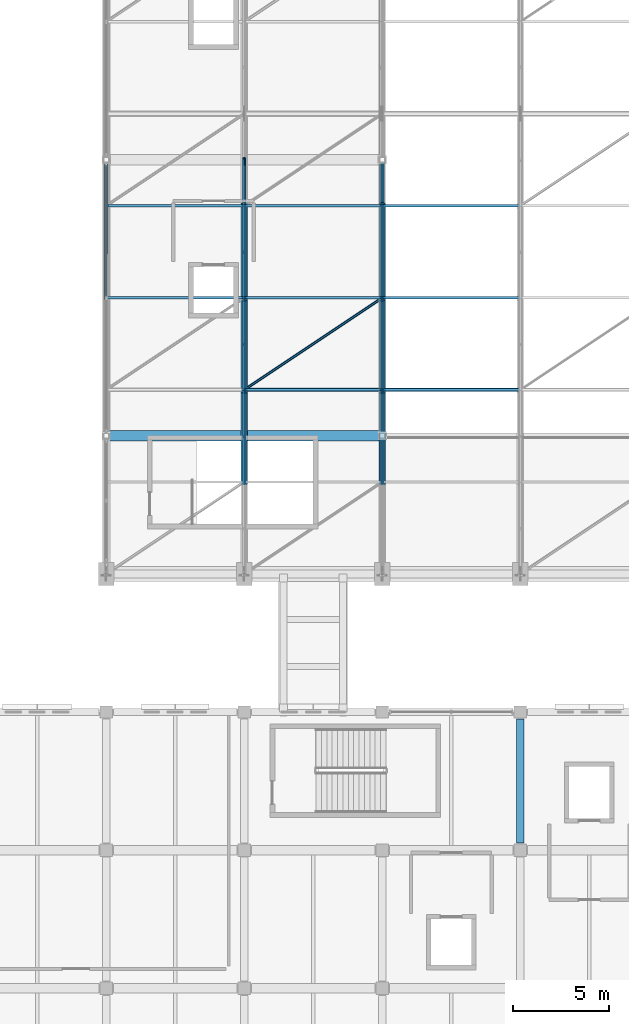
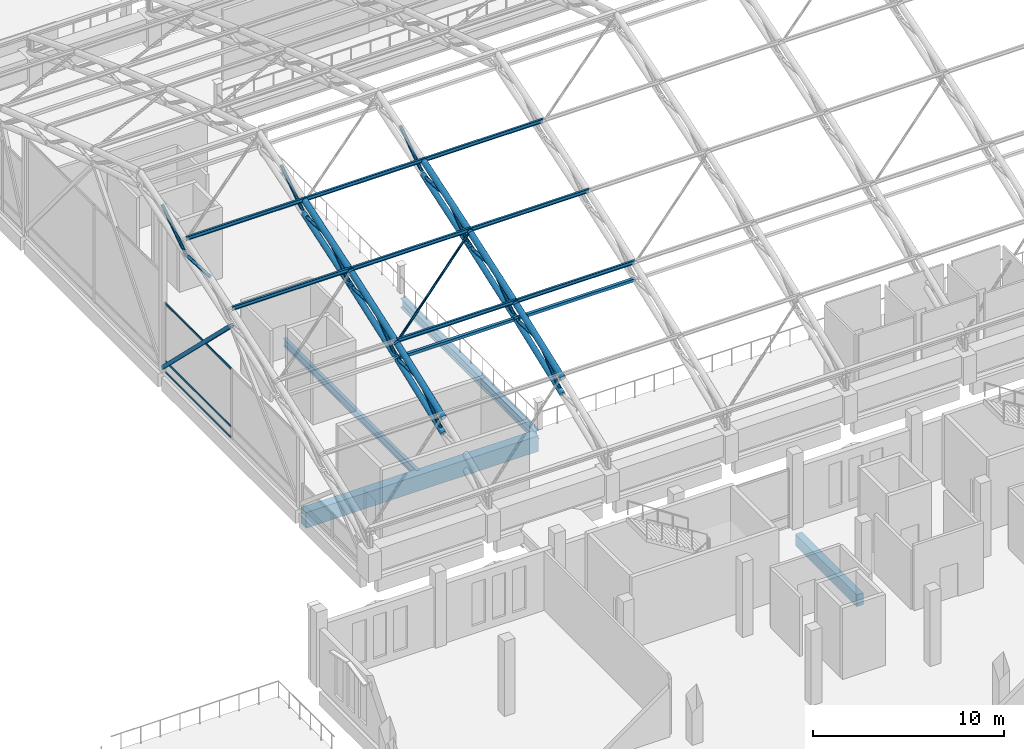
# One storey, part 30 of 116: 43 members, 4 beams, 1 element without a shape of its own.
"""IFC4 building model written with IfcOpenShell, lengths in metres."""

import ifcopenshell
import ifcopenshell.guid

model = None  # the IFC model being written
_history = None  # IfcOwnerHistory: only IFC2X3 demands one
_inside = {}  # id of a spatial element -> (the spatial element, [elements in it])
_under = {}  # id of a project, library or spatial element -> (it, [spatial elements below it])
_declared = {}  # id of a project -> (the project, [libraries it declares])
_typed = {}  # id of a type object -> (the type object, [elements of that type])
_made_of = {}  # id of a material, layer set ... -> (it, [elements and type objects made of it])


def new_model(schema):
    """Start an empty IFC model of exactly this schema.

    Asked for "IFC4X3", IfcOpenShell would pick the latest addendum, in which some entities
    have other attributes; the version numbers below select the first issue.
    IFC2X3 requires an IfcOwnerHistory on every rooted entity: one is made here for all.
    """
    global model, _history
    if schema == "IFC4X3":
        model = ifcopenshell.file(schema_version=(4, 3, 0, 0))
    else:
        model = ifcopenshell.file(schema=schema)
    _inside.clear()
    _under.clear()
    _declared.clear()
    _typed.clear()
    _made_of.clear()
    _history = None
    if model.schema == "IFC2X3":
        org = make("IfcOrganization", Name="unknown")
        user = make(
            "IfcPersonAndOrganization",
            ThePerson=make("IfcPerson", FamilyName="unknown"),
            TheOrganization=org,
        )
        app = make(
            "IfcApplication",
            ApplicationDeveloper=org,
            Version="unknown",
            ApplicationFullName="unknown",
            ApplicationIdentifier="unknown",
        )
        _history = make(
            "IfcOwnerHistory",
            OwningUser=user,
            OwningApplication=app,
            ChangeAction="ADDED",
            CreationDate=0,
        )
    return model


def make(cls, **values):
    """One entity of the class cls with the attributes given. An attribute that is None is left unset."""
    return model.create_entity(
        cls, **{name: value for name, value in values.items() if value is not None}
    )


def rooted(cls, **values):
    """An entity with a GlobalId (a new one), such as an element, a storey or a relation."""
    return make(cls, GlobalId=ifcopenshell.guid.new(), OwnerHistory=_history, **values)


def si_unit(unit_type, name, prefix=None):
    """IfcSIUnit, for example si_unit("LENGTHUNIT", "METRE", prefix="MILLI")."""
    return make("IfcSIUnit", UnitType=unit_type, Prefix=prefix, Name=name)


def assignment(units):
    """IfcUnitAssignment: the units of a project."""
    return None if units is None else make("IfcUnitAssignment", Units=units)


def point(xyz):
    """IfcCartesianPoint."""
    return None if xyz is None else make("IfcCartesianPoint", Coordinates=xyz)


def direction(xyz):
    """IfcDirection."""
    return None if xyz is None else make("IfcDirection", DirectionRatios=xyz)


def frame(location, z_axis=None, x_axis=None):
    """IfcAxis2Placement3D, a coordinate frame: its origin and axes. An axis left out is left unset."""
    return make(
        "IfcAxis2Placement3D",
        Location=point(location),
        Axis=direction(z_axis),
        RefDirection=direction(x_axis),
    )


def frame_2d(location, x_axis=None):
    """IfcAxis2Placement2D, a coordinate frame in the plane: its origin and x axis."""
    return make(
        "IfcAxis2Placement2D", Location=point(location), RefDirection=direction(x_axis)
    )


def origin():
    """The frame at (0, 0, 0) with its axes left unset."""
    return frame((0.0, 0.0, 0.0))


def origin_2d():
    """The frame at (0, 0) in the plane with its x axis left unset."""
    return frame_2d((0.0, 0.0))


def place(relative_to, where):
    """IfcLocalPlacement: puts the frame where relative to a parent placement (None: the world)."""
    return make(
        "IfcLocalPlacement", PlacementRelTo=relative_to, RelativePlacement=where
    )


def context(
    kind, dimensions, precision=None, world=None, true_north=None, identifier=None
):
    """IfcGeometricRepresentationContext, for example the 3D "Model" context."""
    return make(
        "IfcGeometricRepresentationContext",
        ContextIdentifier=identifier,
        ContextType=kind,
        CoordinateSpaceDimension=dimensions,
        Precision=precision,
        WorldCoordinateSystem=world,
        TrueNorth=true_north,
    )


def subcontext(parent, identifier, kind, view, scale=None):
    """IfcGeometricRepresentationSubContext, for example "Body" below "Model"."""
    return make(
        "IfcGeometricRepresentationSubContext",
        ContextIdentifier=identifier,
        ContextType=kind,
        ParentContext=parent,
        TargetScale=scale,
        TargetView=view,
    )


def project(units=None, contexts=None):
    """IfcProject with its units and contexts."""
    return rooted(
        "IfcProject",
        Name="project",
        RepresentationContexts=contexts,
        UnitsInContext=assignment(units),
    )


def spatial(cls, under=None, at=None, **own):
    """A site, building, storey or space (cls), placed at a placement, below another one or the project."""
    s = rooted(cls, ObjectPlacement=at, **own)
    if under is not None:
        _under.setdefault(under.id(), (under, []))[1].append(s)
    return s


def profile(cls, at=None, kind="AREA", **sizes):
    """A parametric profile (cls). Its sizes go by their IFC names, for example OverallWidth=200.0."""
    return make(cls, ProfileType=kind, Position=at, **sizes)


def rectangle(**sizes):
    """IfcRectangleProfileDef."""
    return profile("IfcRectangleProfileDef", **sizes)


def hollow_rectangle(**sizes):
    """IfcRectangleHollowProfileDef."""
    return profile("IfcRectangleHollowProfileDef", **sizes)


def hollow_circle(**sizes):
    """IfcCircleHollowProfileDef."""
    return profile("IfcCircleHollowProfileDef", **sizes)


def i_section(**sizes):
    """IfcIShapeProfileDef."""
    return profile("IfcIShapeProfileDef", **sizes)


def extrude(swept, where, along, depth):
    """IfcExtrudedAreaSolid: the profile swept, set in the frame where, extruded along a direction by depth."""
    return make(
        "IfcExtrudedAreaSolid",
        SweptArea=swept,
        Position=where,
        ExtrudedDirection=direction(along),
        Depth=depth,
    )


def shape(context_of_items, identifier, shape_type, items):
    """IfcShapeRepresentation: the items that make up one representation, for example the "Body"."""
    return make(
        "IfcShapeRepresentation",
        ContextOfItems=context_of_items,
        RepresentationIdentifier=identifier,
        RepresentationType=shape_type,
        Items=items,
    )


def material(Name=None, Category=None):
    """IfcMaterial."""
    return make("IfcMaterial", Name=Name, Category=Category)


def material_profile(
    of_material, cross_section, Name=None, Category=None, Priority=None
):
    """IfcMaterialProfile: a cross section and its material."""
    return make(
        "IfcMaterialProfile",
        Name=Name,
        Material=of_material,
        Profile=cross_section,
        Priority=Priority,
        Category=Category,
    )


def profile_set(profiles, Name=None, composite=None):
    """IfcMaterialProfileSet."""
    return make(
        "IfcMaterialProfileSet",
        Name=Name,
        MaterialProfiles=profiles,
        CompositeProfile=composite,
    )


def made_of(thing, what):
    """Note that an element or type object is made of a material, layer set ...; save() writes the relation."""
    if what is not None:
        _made_of.setdefault(what.id(), (what, []))[1].append(thing)
    return thing


def type_object(cls, material=None, **own):
    """A type object (cls), such as IfcWallType, which elements share."""
    return made_of(rooted(cls, **own), material)


def element(
    cls,
    number,
    at=None,
    inside=None,
    cuts=None,
    type_object=None,
    material=None,
    context=None,
    identifier="Body",
    shape_type=None,
    held_by="IfcProductDefinitionShape",
    body=None,
    shapes=None,
    **own,
):
    """One element of the class cls, such as IfcWall. Its Tag is "e" and its number.

    at: its placement. inside: the storey or other place that contains it. cuts: it is an
    opening in that element (IfcRelVoidsElement). A single representation is given by context,
    identifier, shape_type and body (its items); several are given by shapes. held_by: the class
    of the entity that holds the representations. save() writes the other relations.
    """
    e = rooted(cls, Tag="e%d" % number, ObjectPlacement=at, **own)
    if body is not None:
        shapes = [shape(context, identifier, shape_type, body)]
    if shapes is not None:
        e.Representation = make(held_by, Representations=shapes)
    if inside is not None:
        _inside.setdefault(inside.id(), (inside, []))[1].append(e)
    if cuts is not None:
        rooted(
            "IfcRelVoidsElement", RelatingBuildingElement=cuts, RelatedOpeningElement=e
        )
    if type_object is not None:
        _typed.setdefault(type_object.id(), (type_object, []))[1].append(e)
    return made_of(e, material)


def aggregate(whole, parts):
    """IfcRelAggregates: a whole, such as a stair, and the parts it consists of."""
    return rooted("IfcRelAggregates", RelatingObject=whole, RelatedObjects=parts)


def save(model, path):
    """Write the relations noted so far, then the file.

    IfcRelAggregates (storeys below a building ...), IfcRelContainedInSpatialStructure (elements
    in a storey), IfcRelDefinesByType, IfcRelAssociatesMaterial and IfcRelDeclares: one each for
    every whole, place, type object, material and project.
    """
    for whole, parts in _under.values():
        aggregate(whole, parts)
    for where, things in _inside.values():
        rooted(
            "IfcRelContainedInSpatialStructure",
            RelatedElements=things,
            RelatingStructure=where,
        )
    for kind, things in _typed.values():
        rooted("IfcRelDefinesByType", RelatedObjects=things, RelatingType=kind)
    for what, things in _made_of.values():
        rooted("IfcRelAssociatesMaterial", RelatedObjects=things, RelatingMaterial=what)
    for by, libraries in _declared.values():
        rooted("IfcRelDeclares", RelatingContext=by, RelatedDefinitions=libraries)
    model.write(path)


model = new_model("IFC4")

# Units and contexts
model_context = context("Model", 3, precision=1e-05, world=origin(), true_north=direction((0.0, 1.0)))
body_context = subcontext(model_context, "Body", "Model", "MODEL_VIEW")
ifc_project = project(units=[si_unit("LENGTHUNIT", "METRE"), si_unit("AREAUNIT", "SQUARE_METRE"), si_unit("VOLUMEUNIT", "CUBIC_METRE"), si_unit("PLANEANGLEUNIT", "RADIAN"), si_unit("MASSUNIT", "GRAM", prefix="KILO")], contexts=[model_context])

# Site, building, storey
site_placement = place(None, origin())
site = spatial("IfcSite", under=ifc_project, at=site_placement, CompositionType="ELEMENT")
building_placement = place(site_placement, origin())
building = spatial("IfcBuilding", under=site, at=building_placement, Name="Cendralis Lancet Convention Centre", CompositionType="ELEMENT")
storey_placement = place(building_placement, frame((0.0, 0.0, 15.0)))
storey = spatial("IfcBuildingStorey", under=building, at=storey_placement, Name="L03", CompositionType="ELEMENT", Elevation=15.0)

# Curtain wall, members
ifc_material_1 = material(Name="Anodised bronze architectural aluminium", Category="aluminium")
curtain_wall_type = type_object("IfcCurtainWallType", Name="ARC-CW-PL02", PredefinedType="USERDEFINED", material=ifc_material_1)
curtain_wall_placement = place(storey_placement, origin())
curtain_wall = element("IfcCurtainWall", 1, at=curtain_wall_placement, inside=storey, type_object=curtain_wall_type, Name="L03 Curtain Wall CW-PL2 #137", ObjectType="CURTAIN WALL", PredefinedType="USERDEFINED")
ifc_material_profile_1 = material_profile(ifc_material_1, hollow_rectangle(XDim=0.06005859375, YDim=0.1201171875, WallThickness=0.00390625, at=origin_2d()), Name="AL-TRAN 60x120x4.0")
ifc_profile_set_1 = profile_set([ifc_material_profile_1], Name="Anodised bronze architectural aluminium")
member_type_1 = type_object("IfcMemberType", Name="ARC-CW-TR01", PredefinedType="USERDEFINED", material=ifc_profile_set_1)
member_1_placement = place(storey_placement, frame((139.199951171875, 57.669921875, 0.06005859375), z_axis=(0.0, 1.0, 0.0), x_axis=(-1.0, 0.0, 0.0)))
member_1 = element("IfcMember", 2, at=member_1_placement, type_object=member_type_1, Name="Transom CW2-CW-PL2-L03-137-T1BOT", ObjectType="TRANSOM", PredefinedType="USERDEFINED", context=body_context, shape_type="SweptSolid", body=[
    extrude(hollow_rectangle(XDim=0.06005859375, YDim=0.1201171875, WallThickness=0.00390625, at=origin_2d()), origin(), (0.0, 0.0, 1.0), 6.860107421875),
])
member_2_placement = place(storey_placement, frame((139.199951171875, 57.669921875, 0.75), z_axis=(0.0, 1.0, 0.0), x_axis=(-1.0, 0.0, 0.0)))
member_2 = element("IfcMember", 3, at=member_2_placement, type_object=member_type_1, Name="Transom CW2-CW-PL2-L03-137-T1MID", ObjectType="TRANSOM", PredefinedType="USERDEFINED", context=body_context, shape_type="SweptSolid", body=[
    extrude(hollow_rectangle(XDim=0.06005859375, YDim=0.1201171875, WallThickness=0.00390625, at=origin_2d()), origin(), (0.0, 0.0, 1.0), 6.860107421875),
])
member_3_placement = place(storey_placement, frame((139.199951171875, 57.669921875, 4.43701171875), z_axis=(0.0, 1.0, 0.0), x_axis=(-1.0, 0.0, 0.0)))
member_3 = element("IfcMember", 4, at=member_3_placement, type_object=member_type_1, Name="Transom CW2-CW-PL2-L03-137-T1TOP", ObjectType="TRANSOM", PredefinedType="USERDEFINED", context=body_context, shape_type="SweptSolid", body=[
    extrude(hollow_rectangle(XDim=0.06005859375, YDim=0.1201171875, WallThickness=0.00390625, at=origin_2d()), origin(), (0.0, 0.0, 1.0), 6.860107421875),
])
aggregate(curtain_wall, [member_1, member_2, member_3])

# Beams
ifc_material_2 = material(Name="Concrete G40 (C40/50)", Category="concrete")
ifc_material_profile_2 = material_profile(ifc_material_2, rectangle(XDim=0.550048828125, YDim=1.0, at=origin_2d()), Name="RCB 550x1000")
ifc_profile_set_2 = profile_set([ifc_material_profile_2], Name="Concrete G40 (C40/50)")
beam_type_1 = type_object("IfcBeamType", Name="STR-BM-BG05", PredefinedType="BEAM", material=ifc_profile_set_2)
beam_1_placement = place(storey_placement, frame((139.375, 50.39990234375, -0.760009765625), z_axis=(1.0, 0.0, 0.0), x_axis=(0.0, 1.0, 0.0)))
element("IfcBeam", 5, at=beam_1_placement, inside=storey, type_object=beam_type_1, Name="L03 Beam BG05 #1522", PredefinedType="BEAM", context=body_context, shape_type="SweptSolid", body=[
    extrude(rectangle(XDim=0.550048828125, YDim=1.0, at=origin_2d()), origin(), (0.0, 0.0, 1.0), 14.050048828125),
])
ifc_material_3 = material(Name="Concrete G35 (C35/45)", Category="concrete")
ifc_material_profile_3 = material_profile(ifc_material_3, rectangle(XDim=0.39990234375, YDim=0.75, at=origin_2d()), Name="RCB 400x750")
ifc_profile_set_3 = profile_set([ifc_material_profile_3], Name="Concrete G35 (C35/45)")
beam_type_2 = type_object("IfcBeamType", Name="STR-BM-BG12", PredefinedType="BEAM", material=ifc_profile_set_3)
beam_2_placement = place(storey_placement, frame((160.800048828125, 29.175048828125, -0.635009765625), z_axis=(0.0, 1.0, 0.0), x_axis=(-1.0, 0.0, 0.0)))
element("IfcBeam", 6, at=beam_2_placement, inside=storey, type_object=beam_type_2, Name="L03 Beam BG12 #0447", PredefinedType="BEAM", context=body_context, shape_type="SweptSolid", body=[
    extrude(rectangle(XDim=0.39990234375, YDim=0.75, at=origin_2d()), origin(), (0.0, 0.0, 1.0), 6.449951171875),
])
ifc_material_4 = material(Name="Steel S355", Category="steel")
ifc_material_profile_4 = material_profile(ifc_material_4, i_section(OverallWidth=0.300048828125, OverallDepth=0.590087890625, WebThickness=0.012939453125, FlangeThickness=0.02490234375, FilletRadius=0.027099609375, at=origin_2d()), Name="HEA 600")
ifc_profile_set_4 = profile_set([ifc_material_profile_4], Name="Steel S355")
beam_type_3 = type_object("IfcBeamType", Name="STR-BM-SG10", PredefinedType="BEAM", material=ifc_profile_set_4)
beam_3_placement = place(storey_placement, frame((153.60009765625, 50.574951171875, -0.554931640625), z_axis=(0.0, 1.0, 0.0), x_axis=(-1.0, 0.0, 0.0)))
element("IfcBeam", 7, at=beam_3_placement, inside=storey, type_object=beam_type_3, Name="L03 Beam SG10 #1538", PredefinedType="BEAM", context=body_context, shape_type="SweptSolid", body=[
    extrude(i_section(OverallWidth=0.300048828125, OverallDepth=0.590087890625, WebThickness=0.012939453125, FlangeThickness=0.02490234375, FilletRadius=0.027099609375, at=origin_2d()), origin(), (0.0, 0.0, 1.0), 14.050048828125),
])

# Members
ifc_material_profile_5 = material_profile(ifc_material_4, hollow_rectangle(XDim=0.219970703125, YDim=0.219970703125, WallThickness=0.012451171875, at=origin_2d()), Name="SHS 220x220x12.5")
ifc_profile_set_5 = profile_set([ifc_material_profile_5], Name="Steel S355")
member_type_2 = type_object("IfcMemberType", Name="STR-BR-GB02", PredefinedType="BRACE", material=ifc_profile_set_5)
member_4_placement = place(storey_placement, frame((139.199951171875, 64.800048828125, 0.199951171875), z_axis=(0.0, -0.714336093769, 0.699802790176), x_axis=(1.0, 0.0, 0.0)))
element("IfcMember", 8, at=member_4_placement, inside=storey, type_object=member_type_2, Name="Plenary Gable Gothic Ogival Tracery Rib GBR2 #064", PredefinedType="BRACE", context=body_context, shape_type="SweptSolid", body=[
    extrude(hollow_rectangle(XDim=0.219970703125, YDim=0.219970703125, WallThickness=0.012451171875, at=origin_2d()), origin(), (0.0, 0.0, 1.0), 10.0791015625),
])
ifc_material_profile_6 = material_profile(ifc_material_4, hollow_circle(Radius=0.06982421875, WallThickness=0.00634765625, at=origin_2d()), Name="CHS 139.7x6.3")
ifc_profile_set_6 = profile_set([ifc_material_profile_6], Name="Steel S355")
member_type_3 = type_object("IfcMemberType", Name="STR-BR-RB02", PredefinedType="BRACE", material=ifc_profile_set_6)
member_5_placement = place(storey_placement, frame((146.39990234375, 52.800048828125, 6.538818359375), z_axis=(0.817088595521, 0.544716495203, 0.188812517919), x_axis=(-0.554693685541, 0.832054634757, 0.0)))
element("IfcMember", 9, at=member_5_placement, inside=storey, type_object=member_type_3, Name="Roof Diaphragm Brace RB02 V2-01-02A", PredefinedType="BRACE", context=body_context, shape_type="SweptSolid", body=[
    extrude(hollow_circle(Radius=0.06982421875, WallThickness=0.00634765625, at=origin_2d()), origin(), (0.0, 0.0, 1.0), 8.81201171875),
])
ifc_material_profile_7 = material_profile(ifc_material_4, hollow_rectangle(XDim=0.179931640625, YDim=0.179931640625, WallThickness=0.010009765625, at=origin_2d()), Name="SHS 180x180x10.0")
ifc_profile_set_7 = profile_set([ifc_material_profile_7], Name="Steel S355")
member_type_4 = type_object("IfcMemberType", Name="STR-BR-ST02", PredefinedType="STRUT", material=ifc_profile_set_7)
member_6_placement = place(storey_placement, frame((146.39990234375, 52.800048828125, 5.555908203125), z_axis=(1.0, 0.0, 0.0), x_axis=(0.0, 1.0, 0.0)))
element("IfcMember", 10, at=member_6_placement, inside=storey, type_object=member_type_4, Name="Arch Tie Strut ST02 V2-01-02", PredefinedType="STRUT", context=body_context, shape_type="SweptSolid", body=[
    extrude(hollow_rectangle(XDim=0.179931640625, YDim=0.179931640625, WallThickness=0.010009765625, at=origin_2d()), origin(), (0.0, 0.0, 1.0), 7.2001953125),
])
member_7_placement = place(storey_placement, frame((153.60009765625, 52.800048828125, 5.555908203125), z_axis=(1.0, 0.0, 0.0), x_axis=(0.0, 1.0, 0.0)))
element("IfcMember", 11, at=member_7_placement, inside=storey, type_object=member_type_4, Name="Arch Tie Strut ST02 V2-02-02", PredefinedType="STRUT", context=body_context, shape_type="SweptSolid", body=[
    extrude(hollow_rectangle(XDim=0.179931640625, YDim=0.179931640625, WallThickness=0.010009765625, at=origin_2d()), origin(), (0.0, 0.0, 1.0), 7.199951171875),
])

# Beam
ifc_material_profile_8 = material_profile(ifc_material_4, i_section(OverallWidth=0.199951171875, OverallDepth=0.5, WebThickness=0.01025390625, FlangeThickness=0.01611328125, FilletRadius=0.02099609375, at=origin_2d()), Name="IPE 500")
ifc_profile_set_8 = profile_set([ifc_material_profile_8], Name="Steel S355")
beam_type_4 = type_object("IfcBeamType", Name="STR-JS-BJ06", PredefinedType="JOIST", material=ifc_profile_set_8)
beam_4_placement = place(storey_placement, frame((146.39990234375, 50.550048828125, -0.510009765625), z_axis=(0.0, 1.0, 0.0), x_axis=(-1.0, 0.0, 0.0)))
element("IfcBeam", 12, at=beam_4_placement, inside=storey, type_object=beam_type_4, Name="L03 Beam BJ06 #1552", PredefinedType="JOIST", context=body_context, shape_type="SweptSolid", body=[
    extrude(i_section(OverallWidth=0.199951171875, OverallDepth=0.5, WebThickness=0.01025390625, FlangeThickness=0.01611328125, FilletRadius=0.02099609375, at=origin_2d()), origin(), (0.0, 0.0, 1.0), 13.974853515625),
])

# Members
ifc_material_profile_9 = material_profile(ifc_material_4, i_section(OverallWidth=0.1201171875, OverallDepth=0.239990234375, WebThickness=0.006103515625, FlangeThickness=0.009765625, FilletRadius=0.014892578125, at=origin_2d()), Name="IPE 240")
ifc_profile_set_9 = profile_set([ifc_material_profile_9], Name="Steel S355")
member_type_5 = type_object("IfcMemberType", Name="STR-PR-PR02", PredefinedType="PURLIN", material=ifc_profile_set_9)
for number, where, z_axis, x_axis, name in (
    (13, (139.199951171875, 57.60009765625, 8.332763671875), (1.0, 0.0, 0.0), (0.0, 1.0, 0.0), "Vault Roof Purlin PR02 V2-00-03"),
    (14, (139.199951171875, 62.39990234375, 9.896484375), (1.0, 0.0, 0.0), (0.0, 1.0, 0.0), "Vault Roof Purlin PR02 V2-00-04"),
):
    element("IfcMember", number, at=place(storey_placement, frame(where, z_axis=z_axis, x_axis=x_axis)), inside=storey, type_object=member_type_5, Name=name, PredefinedType="PURLIN", context=body_context, shape_type="SweptSolid", body=[
        extrude(i_section(OverallWidth=0.1201171875, OverallDepth=0.239990234375, WebThickness=0.006103515625, FlangeThickness=0.009765625, FilletRadius=0.014892578125, at=origin_2d()), origin(), (0.0, 0.0, 1.0), 7.199951171875),
    ])
for number, where, z_axis, x_axis, name in (
    (15, (146.39990234375, 52.800048828125, 6.668701171875), (1.0, 0.0, 0.0), (0.0, 1.0, 0.0), "Vault Roof Purlin PR02 V2-01-02"),
    (16, (146.39990234375, 57.60009765625, 8.332763671875), (1.0, 0.0, 0.0), (0.0, 1.0, 0.0), "Vault Roof Purlin PR02 V2-01-03"),
    (17, (146.39990234375, 62.39990234375, 9.896484375), (1.0, 0.0, 0.0), (0.0, 1.0, 0.0), "Vault Roof Purlin PR02 V2-01-04"),
):
    element("IfcMember", number, at=place(storey_placement, frame(where, z_axis=z_axis, x_axis=x_axis)), inside=storey, type_object=member_type_5, Name=name, PredefinedType="PURLIN", context=body_context, shape_type="SweptSolid", body=[
        extrude(i_section(OverallWidth=0.1201171875, OverallDepth=0.239990234375, WebThickness=0.006103515625, FlangeThickness=0.009765625, FilletRadius=0.014892578125, at=origin_2d()), origin(), (0.0, 0.0, 1.0), 7.2001953125),
    ])
for number, where, z_axis, x_axis, name in (
    (18, (153.60009765625, 52.800048828125, 6.668701171875), (1.0, 0.0, 0.0), (0.0, 1.0, 0.0), "Vault Roof Purlin PR02 V2-02-02"),
    (19, (153.60009765625, 57.60009765625, 8.332763671875), (1.0, 0.0, 0.0), (0.0, 1.0, 0.0), "Vault Roof Purlin PR02 V2-02-03"),
    (20, (153.60009765625, 62.39990234375, 9.896484375), (1.0, 0.0, 0.0), (0.0, 1.0, 0.0), "Vault Roof Purlin PR02 V2-02-04"),
):
    element("IfcMember", number, at=place(storey_placement, frame(where, z_axis=z_axis, x_axis=x_axis)), inside=storey, type_object=member_type_5, Name=name, PredefinedType="PURLIN", context=body_context, shape_type="SweptSolid", body=[
        extrude(i_section(OverallWidth=0.1201171875, OverallDepth=0.239990234375, WebThickness=0.006103515625, FlangeThickness=0.009765625, FilletRadius=0.014892578125, at=origin_2d()), origin(), (0.0, 0.0, 1.0), 7.199951171875),
    ])
ifc_material_profile_10 = material_profile(ifc_material_4, hollow_circle(Radius=0.161865234375, WallThickness=0.01416015625, at=origin_2d()), Name="CHS 323.9x14.2")
ifc_profile_set_10 = profile_set([ifc_material_profile_10], Name="Steel S355")
member_type_6 = type_object("IfcMemberType", Name="STR-TR-BC02-INT", PredefinedType="CHORD", material=ifc_profile_set_10)
member_8_placement = place(storey_placement, frame((146.39990234375, 47.8876953125, 3.695556640625), z_axis=(0.0, 0.935181338514, 0.354169259105), x_axis=(-1.0, 0.0, 0.0)))
element("IfcMember", 21, at=member_8_placement, inside=storey, type_object=member_type_6, Name="ROOF TRUSS AT-V2-02 Bottom Chord 01", PredefinedType="CHORD", context=body_context, shape_type="SweptSolid", body=[
    extrude(hollow_circle(Radius=0.161865234375, WallThickness=0.01416015625, at=origin_2d()), origin(), (0.0, 0.0, 1.0), 5.37255859375),
])
member_9_placement = place(storey_placement, frame((146.39990234375, 52.68701171875, 5.51611328125), z_axis=(0.0, 0.942788943503, 0.333390173833), x_axis=(-1.0, 0.0, 0.0)))
element("IfcMember", 22, at=member_9_placement, inside=storey, type_object=member_type_6, Name="ROOF TRUSS AT-V2-02 Bottom Chord 02", PredefinedType="CHORD", context=body_context, shape_type="SweptSolid", body=[
    extrude(hollow_circle(Radius=0.161865234375, WallThickness=0.01416015625, at=origin_2d()), origin(), (0.0, 0.0, 1.0), 5.3310546875),
])
member_10_placement = place(storey_placement, frame((146.39990234375, 57.486083984375, 7.215576171875), z_axis=(0.0, 0.948830629051, 0.315785429325), x_axis=(-1.0, 0.0, 0.0)))
element("IfcMember", 23, at=member_10_placement, inside=storey, type_object=member_type_6, Name="ROOF TRUSS AT-V2-02 Bottom Chord 03", PredefinedType="CHORD", context=body_context, shape_type="SweptSolid", body=[
    extrude(hollow_circle(Radius=0.161865234375, WallThickness=0.01416015625, at=origin_2d()), origin(), (0.0, 0.0, 1.0), 5.299072265625),
])
member_11_placement = place(storey_placement, frame((153.60009765625, 47.8876953125, 3.695556640625), z_axis=(0.0, 0.935181338514, 0.354169259105), x_axis=(-1.0, 0.0, 0.0)))
element("IfcMember", 24, at=member_11_placement, inside=storey, type_object=member_type_6, Name="ROOF TRUSS AT-V2-03 Bottom Chord 01", PredefinedType="CHORD", context=body_context, shape_type="SweptSolid", body=[
    extrude(hollow_circle(Radius=0.161865234375, WallThickness=0.01416015625, at=origin_2d()), origin(), (0.0, 0.0, 1.0), 5.37255859375),
])
member_12_placement = place(storey_placement, frame((153.60009765625, 52.68701171875, 5.51611328125), z_axis=(0.0, 0.942788943503, 0.333390173833), x_axis=(-1.0, 0.0, 0.0)))
element("IfcMember", 25, at=member_12_placement, inside=storey, type_object=member_type_6, Name="ROOF TRUSS AT-V2-03 Bottom Chord 02", PredefinedType="CHORD", context=body_context, shape_type="SweptSolid", body=[
    extrude(hollow_circle(Radius=0.161865234375, WallThickness=0.01416015625, at=origin_2d()), origin(), (0.0, 0.0, 1.0), 5.3310546875),
])
member_13_placement = place(storey_placement, frame((153.60009765625, 57.486083984375, 7.215576171875), z_axis=(0.0, 0.948830629051, 0.315785429325), x_axis=(-1.0, 0.0, 0.0)))
element("IfcMember", 26, at=member_13_placement, inside=storey, type_object=member_type_6, Name="ROOF TRUSS AT-V2-03 Bottom Chord 03", PredefinedType="CHORD", context=body_context, shape_type="SweptSolid", body=[
    extrude(hollow_circle(Radius=0.161865234375, WallThickness=0.01416015625, at=origin_2d()), origin(), (0.0, 0.0, 1.0), 5.299072265625),
])
ifc_material_profile_11 = material_profile(ifc_material_4, hollow_circle(Radius=0.177734375, WallThickness=0.01611328125, at=origin_2d()), Name="CHS 355.6x16.0")
ifc_profile_set_11 = profile_set([ifc_material_profile_11], Name="Steel S355")
member_type_7 = type_object("IfcMemberType", Name="STR-TR-TC02-INT", PredefinedType="CHORD", material=ifc_profile_set_11)
member_14_placement = place(storey_placement, frame((146.39990234375, 47.887451171875, 4.712646484375), z_axis=(0.0, 0.937337757089, 0.348422056041), x_axis=(-1.0, 0.0, 0.0)))
element("IfcMember", 27, at=member_14_placement, inside=storey, type_object=member_type_7, Name="ROOF TRUSS AT-V2-02 Top Chord 01", PredefinedType="CHORD", context=body_context, shape_type="SweptSolid", body=[
    extrude(hollow_circle(Radius=0.177734375, WallThickness=0.01611328125, at=origin_2d()), origin(), (0.0, 0.0, 1.0), 5.361083984375),
])
member_15_placement = place(storey_placement, frame((146.39990234375, 52.6865234375, 6.49951171875), z_axis=(0.0, 0.944848505706, 0.327507711764), x_axis=(-1.0, 0.0, 0.0)))
element("IfcMember", 28, at=member_15_placement, inside=storey, type_object=member_type_7, Name="ROOF TRUSS AT-V2-02 Top Chord 02", PredefinedType="CHORD", context=body_context, shape_type="SweptSolid", body=[
    extrude(hollow_circle(Radius=0.177734375, WallThickness=0.01611328125, at=origin_2d()), origin(), (0.0, 0.0, 1.0), 5.3203125),
])
member_16_placement = place(storey_placement, frame((146.39990234375, 57.48583984375, 8.16552734375), z_axis=(0.0, 0.950812630265, 0.309766592983), x_axis=(-1.0, 0.0, 0.0)))
element("IfcMember", 29, at=member_16_placement, inside=storey, type_object=member_type_7, Name="ROOF TRUSS AT-V2-02 Top Chord 03", PredefinedType="CHORD", context=body_context, shape_type="SweptSolid", body=[
    extrude(hollow_circle(Radius=0.177734375, WallThickness=0.01611328125, at=origin_2d()), origin(), (0.0, 0.0, 1.0), 5.288330078125),
])
member_17_placement = place(storey_placement, frame((153.60009765625, 47.887451171875, 4.712646484375), z_axis=(0.0, 0.937337757089, 0.348422056041), x_axis=(-1.0, 0.0, 0.0)))
element("IfcMember", 30, at=member_17_placement, inside=storey, type_object=member_type_7, Name="ROOF TRUSS AT-V2-03 Top Chord 01", PredefinedType="CHORD", context=body_context, shape_type="SweptSolid", body=[
    extrude(hollow_circle(Radius=0.177734375, WallThickness=0.01611328125, at=origin_2d()), origin(), (0.0, 0.0, 1.0), 5.361083984375),
])
member_18_placement = place(storey_placement, frame((153.60009765625, 52.6865234375, 6.49951171875), z_axis=(0.0, 0.944848505706, 0.327507711764), x_axis=(-1.0, 0.0, 0.0)))
element("IfcMember", 31, at=member_18_placement, inside=storey, type_object=member_type_7, Name="ROOF TRUSS AT-V2-03 Top Chord 02", PredefinedType="CHORD", context=body_context, shape_type="SweptSolid", body=[
    extrude(hollow_circle(Radius=0.177734375, WallThickness=0.01611328125, at=origin_2d()), origin(), (0.0, 0.0, 1.0), 5.3203125),
])
member_19_placement = place(storey_placement, frame((153.60009765625, 57.48583984375, 8.16552734375), z_axis=(0.0, 0.950812630265, 0.309766592983), x_axis=(-1.0, 0.0, 0.0)))
element("IfcMember", 32, at=member_19_placement, inside=storey, type_object=member_type_7, Name="ROOF TRUSS AT-V2-03 Top Chord 03", PredefinedType="CHORD", context=body_context, shape_type="SweptSolid", body=[
    extrude(hollow_circle(Radius=0.177734375, WallThickness=0.01611328125, at=origin_2d()), origin(), (0.0, 0.0, 1.0), 5.288330078125),
])
ifc_material_profile_12 = material_profile(ifc_material_4, hollow_circle(Radius=0.096923828125, WallThickness=0.008056640625, at=origin_2d()), Name="CHS 193.7x8.0")
ifc_profile_set_12 = profile_set([ifc_material_profile_12], Name="Steel S355")
member_type_8 = type_object("IfcMemberType", Name="STR-TR-WD02", PredefinedType="BRACE", material=ifc_profile_set_12)
member_20_placement = place(storey_placement, frame((139.199951171875, 59.900146484375, 8.990234375), z_axis=(0.0, 0.998447632237, -0.055698524939), x_axis=(-1.0, 0.0, 0.0)))
element("IfcMember", 33, at=member_20_placement, inside=storey, type_object=member_type_8, Name="ROOF TRUSS AT-V2-01 Warren Web 03-1", PredefinedType="BRACE", context=body_context, shape_type="SweptSolid", body=[
    extrude(hollow_circle(Radius=0.096923828125, WallThickness=0.008056640625, at=origin_2d()), origin(), (0.0, 0.0, 1.0), 2.603759765625),
])
member_21_placement = place(storey_placement, frame((139.199951171875, 62.317626953125, 8.794189453125), z_axis=(0.0, 0.822876843509, 0.56821976419), x_axis=(-1.0, 0.0, 0.0)))
element("IfcMember", 34, at=member_21_placement, inside=storey, type_object=member_type_8, Name="ROOF TRUSS AT-V2-01 Warren Web 04-0", PredefinedType="BRACE", context=body_context, shape_type="SweptSolid", body=[
    extrude(hollow_circle(Radius=0.096923828125, WallThickness=0.008056640625, at=origin_2d()), origin(), (0.0, 0.0, 1.0), 3.11669921875),
])
ifc_material_profile_13 = material_profile(ifc_material_4, hollow_circle(Radius=0.096923828125, WallThickness=0.008056640625, at=origin_2d()), Name="CHS 193.7x8.0")
ifc_profile_set_13 = profile_set([ifc_material_profile_13], Name="Steel S355")
member_type_9 = type_object("IfcMemberType", Name="STR-TR-WD02-INT", PredefinedType="BRACE", material=ifc_profile_set_13)
member_22_placement = place(storey_placement, frame((146.39990234375, 47.921630859375, 3.67578125), z_axis=(0.0, 0.782673873306, 0.62243201078), x_axis=(-1.0, 0.0, 0.0)))
element("IfcMember", 35, at=member_22_placement, inside=storey, type_object=member_type_9, Name="ROOF TRUSS AT-V2-02 Warren Web 01-0", PredefinedType="BRACE", context=body_context, shape_type="SweptSolid", body=[
    extrude(hollow_circle(Radius=0.096923828125, WallThickness=0.008056640625, at=origin_2d()), origin(), (0.0, 0.0, 1.0), 3.2666015625),
])
member_23_placement = place(storey_placement, frame((146.39990234375, 50.300048828125, 5.650390625), z_axis=(0.0, 0.999288228514, -0.037723154086), x_axis=(-1.0, 0.0, 0.0)))
element("IfcMember", 36, at=member_23_placement, inside=storey, type_object=member_type_9, Name="ROOF TRUSS AT-V2-02 Warren Web 01-1", PredefinedType="BRACE", context=body_context, shape_type="SweptSolid", body=[
    extrude(hollow_circle(Radius=0.096923828125, WallThickness=0.008056640625, at=origin_2d()), origin(), (0.0, 0.0, 1.0), 2.601806640625),
])
member_24_placement = place(storey_placement, frame((146.39990234375, 52.72021484375, 5.49560546875), z_axis=(0.0, 0.797620051478, 0.603160222064), x_axis=(-1.0, 0.0, 0.0)))
element("IfcMember", 37, at=member_24_placement, inside=storey, type_object=member_type_9, Name="ROOF TRUSS AT-V2-02 Warren Web 02-0", PredefinedType="BRACE", context=body_context, shape_type="SweptSolid", body=[
    extrude(hollow_circle(Radius=0.096923828125, WallThickness=0.008056640625, at=origin_2d()), origin(), (0.0, 0.0, 1.0), 3.208984375),
])
member_25_placement = place(storey_placement, frame((146.39990234375, 55.10009765625, 7.375732421875), z_axis=(0.0, 0.998805327149, -0.048866332561), x_axis=(-1.0, 0.0, 0.0)))
element("IfcMember", 38, at=member_25_placement, inside=storey, type_object=member_type_9, Name="ROOF TRUSS AT-V2-02 Warren Web 02-1", PredefinedType="BRACE", context=body_context, shape_type="SweptSolid", body=[
    extrude(hollow_circle(Radius=0.096923828125, WallThickness=0.008056640625, at=origin_2d()), origin(), (0.0, 0.0, 1.0), 2.60302734375),
])
member_26_placement = place(storey_placement, frame((146.39990234375, 57.518798828125, 7.195068359375), z_axis=(0.0, 0.811035686786, 0.584996679273), x_axis=(-1.0, 0.0, 0.0)))
element("IfcMember", 39, at=member_26_placement, inside=storey, type_object=member_type_9, Name="ROOF TRUSS AT-V2-02 Warren Web 03-0", PredefinedType="BRACE", context=body_context, shape_type="SweptSolid", body=[
    extrude(hollow_circle(Radius=0.096923828125, WallThickness=0.008056640625, at=origin_2d()), origin(), (0.0, 0.0, 1.0), 3.1591796875),
])
member_27_placement = place(storey_placement, frame((146.39990234375, 59.900146484375, 8.990234375), z_axis=(0.0, 0.998447632237, -0.055698524939), x_axis=(-1.0, 0.0, 0.0)))
element("IfcMember", 40, at=member_27_placement, inside=storey, type_object=member_type_9, Name="ROOF TRUSS AT-V2-02 Warren Web 03-1", PredefinedType="BRACE", context=body_context, shape_type="SweptSolid", body=[
    extrude(hollow_circle(Radius=0.096923828125, WallThickness=0.008056640625, at=origin_2d()), origin(), (0.0, 0.0, 1.0), 2.603759765625),
])
member_28_placement = place(storey_placement, frame((146.39990234375, 62.317626953125, 8.794189453125), z_axis=(0.0, 0.822876843509, 0.56821976419), x_axis=(-1.0, 0.0, 0.0)))
element("IfcMember", 41, at=member_28_placement, inside=storey, type_object=member_type_9, Name="ROOF TRUSS AT-V2-02 Warren Web 04-0", PredefinedType="BRACE", context=body_context, shape_type="SweptSolid", body=[
    extrude(hollow_circle(Radius=0.096923828125, WallThickness=0.008056640625, at=origin_2d()), origin(), (0.0, 0.0, 1.0), 3.11669921875),
])
member_29_placement = place(storey_placement, frame((153.60009765625, 47.921630859375, 3.67578125), z_axis=(0.0, 0.782673873306, 0.62243201078), x_axis=(-1.0, 0.0, 0.0)))
element("IfcMember", 42, at=member_29_placement, inside=storey, type_object=member_type_9, Name="ROOF TRUSS AT-V2-03 Warren Web 01-0", PredefinedType="BRACE", context=body_context, shape_type="SweptSolid", body=[
    extrude(hollow_circle(Radius=0.096923828125, WallThickness=0.008056640625, at=origin_2d()), origin(), (0.0, 0.0, 1.0), 3.2666015625),
])
member_30_placement = place(storey_placement, frame((153.60009765625, 50.300048828125, 5.650390625), z_axis=(0.0, 0.999288228514, -0.037723154086), x_axis=(-1.0, 0.0, 0.0)))
element("IfcMember", 43, at=member_30_placement, inside=storey, type_object=member_type_9, Name="ROOF TRUSS AT-V2-03 Warren Web 01-1", PredefinedType="BRACE", context=body_context, shape_type="SweptSolid", body=[
    extrude(hollow_circle(Radius=0.096923828125, WallThickness=0.008056640625, at=origin_2d()), origin(), (0.0, 0.0, 1.0), 2.601806640625),
])
member_31_placement = place(storey_placement, frame((153.60009765625, 52.72021484375, 5.49560546875), z_axis=(0.0, 0.797620051478, 0.603160222064), x_axis=(-1.0, 0.0, 0.0)))
element("IfcMember", 44, at=member_31_placement, inside=storey, type_object=member_type_9, Name="ROOF TRUSS AT-V2-03 Warren Web 02-0", PredefinedType="BRACE", context=body_context, shape_type="SweptSolid", body=[
    extrude(hollow_circle(Radius=0.096923828125, WallThickness=0.008056640625, at=origin_2d()), origin(), (0.0, 0.0, 1.0), 3.208984375),
])
member_32_placement = place(storey_placement, frame((153.60009765625, 55.10009765625, 7.375732421875), z_axis=(0.0, 0.998805327149, -0.048866332561), x_axis=(-1.0, 0.0, 0.0)))
element("IfcMember", 45, at=member_32_placement, inside=storey, type_object=member_type_9, Name="ROOF TRUSS AT-V2-03 Warren Web 02-1", PredefinedType="BRACE", context=body_context, shape_type="SweptSolid", body=[
    extrude(hollow_circle(Radius=0.096923828125, WallThickness=0.008056640625, at=origin_2d()), origin(), (0.0, 0.0, 1.0), 2.60302734375),
])
member_33_placement = place(storey_placement, frame((153.60009765625, 57.518798828125, 7.195068359375), z_axis=(0.0, 0.811035686786, 0.584996679273), x_axis=(-1.0, 0.0, 0.0)))
element("IfcMember", 46, at=member_33_placement, inside=storey, type_object=member_type_9, Name="ROOF TRUSS AT-V2-03 Warren Web 03-0", PredefinedType="BRACE", context=body_context, shape_type="SweptSolid", body=[
    extrude(hollow_circle(Radius=0.096923828125, WallThickness=0.008056640625, at=origin_2d()), origin(), (0.0, 0.0, 1.0), 3.1591796875),
])
member_34_placement = place(storey_placement, frame((153.60009765625, 59.900146484375, 8.990234375), z_axis=(0.0, 0.998447632237, -0.055698524939), x_axis=(-1.0, 0.0, 0.0)))
element("IfcMember", 47, at=member_34_placement, inside=storey, type_object=member_type_9, Name="ROOF TRUSS AT-V2-03 Warren Web 03-1", PredefinedType="BRACE", context=body_context, shape_type="SweptSolid", body=[
    extrude(hollow_circle(Radius=0.096923828125, WallThickness=0.008056640625, at=origin_2d()), origin(), (0.0, 0.0, 1.0), 2.603759765625),
])
member_35_placement = place(storey_placement, frame((153.60009765625, 62.317626953125, 8.794189453125), z_axis=(0.0, 0.822876843509, 0.56821976419), x_axis=(-1.0, 0.0, 0.0)))
element("IfcMember", 48, at=member_35_placement, inside=storey, type_object=member_type_9, Name="ROOF TRUSS AT-V2-03 Warren Web 04-0", PredefinedType="BRACE", context=body_context, shape_type="SweptSolid", body=[
    extrude(hollow_circle(Radius=0.096923828125, WallThickness=0.008056640625, at=origin_2d()), origin(), (0.0, 0.0, 1.0), 3.11669921875),
])

save(model, "model.ifc")
